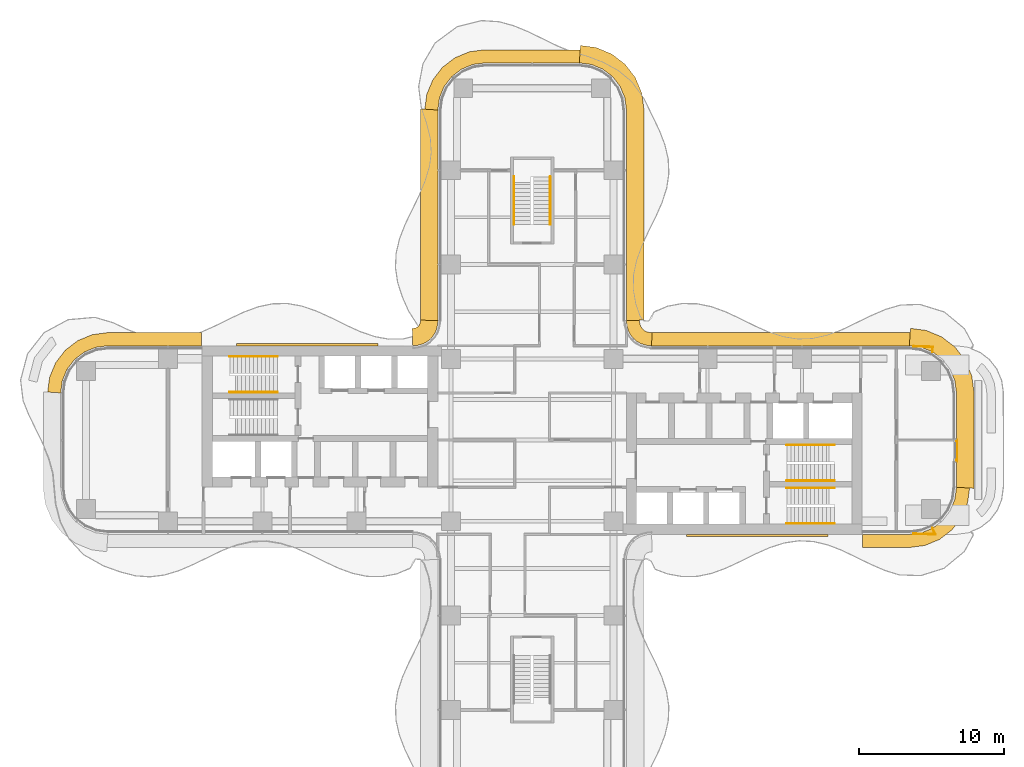
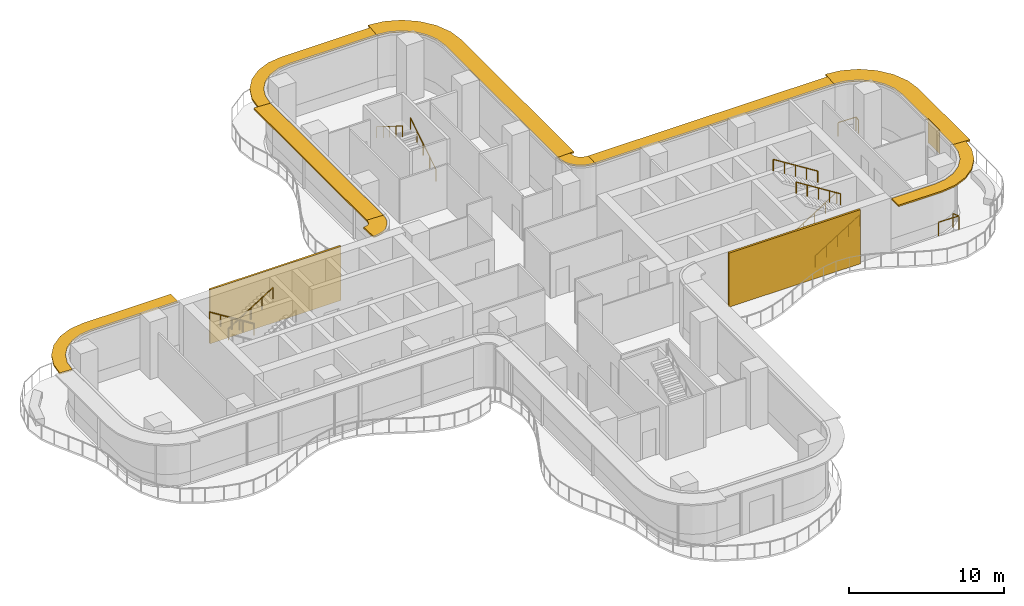
# One storey, part 21 of 21: 10 railings, 9 shading devices, 3 coverings.
"""IFC4 building model written with IfcOpenShell, lengths in metres."""

import ifcopenshell
import ifcopenshell.guid

model = None  # the IFC model being written
_history = None  # IfcOwnerHistory: only IFC2X3 demands one
_inside = {}  # id of a spatial element -> (the spatial element, [elements in it])
_under = {}  # id of a project, library or spatial element -> (it, [spatial elements below it])
_declared = {}  # id of a project -> (the project, [libraries it declares])
_typed = {}  # id of a type object -> (the type object, [elements of that type])
_made_of = {}  # id of a material, layer set ... -> (it, [elements and type objects made of it])


def new_model(schema):
    """Start an empty IFC model of exactly this schema.

    Asked for "IFC4X3", IfcOpenShell would pick the latest addendum, in which some entities
    have other attributes; the version numbers below select the first issue.
    IFC2X3 requires an IfcOwnerHistory on every rooted entity: one is made here for all.
    """
    global model, _history
    if schema == "IFC4X3":
        model = ifcopenshell.file(schema_version=(4, 3, 0, 0))
    else:
        model = ifcopenshell.file(schema=schema)
    _inside.clear()
    _under.clear()
    _declared.clear()
    _typed.clear()
    _made_of.clear()
    _history = None
    if model.schema == "IFC2X3":
        org = make("IfcOrganization", Name="unknown")
        user = make(
            "IfcPersonAndOrganization",
            ThePerson=make("IfcPerson", FamilyName="unknown"),
            TheOrganization=org,
        )
        app = make(
            "IfcApplication",
            ApplicationDeveloper=org,
            Version="unknown",
            ApplicationFullName="unknown",
            ApplicationIdentifier="unknown",
        )
        _history = make(
            "IfcOwnerHistory",
            OwningUser=user,
            OwningApplication=app,
            ChangeAction="ADDED",
            CreationDate=0,
        )
    return model


def make(cls, **values):
    """One entity of the class cls with the attributes given. An attribute that is None is left unset."""
    return model.create_entity(
        cls, **{name: value for name, value in values.items() if value is not None}
    )


def rooted(cls, **values):
    """An entity with a GlobalId (a new one), such as an element, a storey or a relation."""
    return make(cls, GlobalId=ifcopenshell.guid.new(), OwnerHistory=_history, **values)


def si_unit(unit_type, name, prefix=None):
    """IfcSIUnit, for example si_unit("LENGTHUNIT", "METRE", prefix="MILLI")."""
    return make("IfcSIUnit", UnitType=unit_type, Prefix=prefix, Name=name)


def assignment(units):
    """IfcUnitAssignment: the units of a project."""
    return None if units is None else make("IfcUnitAssignment", Units=units)


def point(xyz):
    """IfcCartesianPoint."""
    return None if xyz is None else make("IfcCartesianPoint", Coordinates=xyz)


def direction(xyz):
    """IfcDirection."""
    return None if xyz is None else make("IfcDirection", DirectionRatios=xyz)


def frame(location, z_axis=None, x_axis=None):
    """IfcAxis2Placement3D, a coordinate frame: its origin and axes. An axis left out is left unset."""
    return make(
        "IfcAxis2Placement3D",
        Location=point(location),
        Axis=direction(z_axis),
        RefDirection=direction(x_axis),
    )


def frame_2d(location, x_axis=None):
    """IfcAxis2Placement2D, a coordinate frame in the plane: its origin and x axis."""
    return make(
        "IfcAxis2Placement2D", Location=point(location), RefDirection=direction(x_axis)
    )


def origin():
    """The frame at (0, 0, 0) with its axes left unset."""
    return frame((0.0, 0.0, 0.0))


def origin_2d():
    """The frame at (0, 0) in the plane with its x axis left unset."""
    return frame_2d((0.0, 0.0))


def place(relative_to, where):
    """IfcLocalPlacement: puts the frame where relative to a parent placement (None: the world)."""
    return make(
        "IfcLocalPlacement", PlacementRelTo=relative_to, RelativePlacement=where
    )


def context(
    kind, dimensions, precision=None, world=None, true_north=None, identifier=None
):
    """IfcGeometricRepresentationContext, for example the 3D "Model" context."""
    return make(
        "IfcGeometricRepresentationContext",
        ContextIdentifier=identifier,
        ContextType=kind,
        CoordinateSpaceDimension=dimensions,
        Precision=precision,
        WorldCoordinateSystem=world,
        TrueNorth=true_north,
    )


def subcontext(parent, identifier, kind, view, scale=None):
    """IfcGeometricRepresentationSubContext, for example "Body" below "Model"."""
    return make(
        "IfcGeometricRepresentationSubContext",
        ContextIdentifier=identifier,
        ContextType=kind,
        ParentContext=parent,
        TargetScale=scale,
        TargetView=view,
    )


def project(units=None, contexts=None):
    """IfcProject with its units and contexts."""
    return rooted(
        "IfcProject",
        Name="project",
        RepresentationContexts=contexts,
        UnitsInContext=assignment(units),
    )


def spatial(cls, under=None, at=None, **own):
    """A site, building, storey or space (cls), placed at a placement, below another one or the project."""
    s = rooted(cls, ObjectPlacement=at, **own)
    if under is not None:
        _under.setdefault(under.id(), (under, []))[1].append(s)
    return s


def polyline(points):
    """IfcPolyline through the points."""
    return make("IfcPolyline", Points=[point(p) for p in points])


def profile(cls, at=None, kind="AREA", **sizes):
    """A parametric profile (cls). Its sizes go by their IFC names, for example OverallWidth=200.0."""
    return make(cls, ProfileType=kind, Position=at, **sizes)


def rectangle(**sizes):
    """IfcRectangleProfileDef."""
    return profile("IfcRectangleProfileDef", **sizes)


def circle(**sizes):
    """IfcCircleProfileDef."""
    return profile("IfcCircleProfileDef", **sizes)


def outline(outer, holes=None, kind="AREA"):
    """IfcArbitraryClosedProfileDef: a profile drawn as a closed curve; with holes, ...WithVoids."""
    if holes is None:
        return make("IfcArbitraryClosedProfileDef", ProfileType=kind, OuterCurve=outer)
    return make(
        "IfcArbitraryProfileDefWithVoids",
        ProfileType=kind,
        OuterCurve=outer,
        InnerCurves=holes,
    )


def extrude(swept, where, along, depth):
    """IfcExtrudedAreaSolid: the profile swept, set in the frame where, extruded along a direction by depth."""
    return make(
        "IfcExtrudedAreaSolid",
        SweptArea=swept,
        Position=where,
        ExtrudedDirection=direction(along),
        Depth=depth,
    )


def shape(context_of_items, identifier, shape_type, items):
    """IfcShapeRepresentation: the items that make up one representation, for example the "Body"."""
    return make(
        "IfcShapeRepresentation",
        ContextOfItems=context_of_items,
        RepresentationIdentifier=identifier,
        RepresentationType=shape_type,
        Items=items,
    )


def source(mapping_origin, context_of_items, identifier, shape_type, items):
    """IfcRepresentationMap: a shape defined once, which mapped items show again and again."""
    return make(
        "IfcRepresentationMap",
        MappingOrigin=mapping_origin,
        MappedRepresentation=shape(context_of_items, identifier, shape_type, items),
    )


def transform(
    local_origin,
    x_axis=None,
    y_axis=None,
    z_axis=None,
    scale=None,
    scale2=None,
    scale3=None,
    uniform=True,
):
    """IfcCartesianTransformationOperator3D, or its non-uniform kind. x_axis, y_axis, z_axis: its Axis1, 2, 3."""
    if uniform:
        return make(
            "IfcCartesianTransformationOperator3D",
            Axis1=direction(x_axis),
            Axis2=direction(y_axis),
            LocalOrigin=point(local_origin),
            Scale=scale,
            Axis3=direction(z_axis),
        )
    return make(
        "IfcCartesianTransformationOperator3DnonUniform",
        Axis1=direction(x_axis),
        Axis2=direction(y_axis),
        LocalOrigin=point(local_origin),
        Scale=scale,
        Axis3=direction(z_axis),
        Scale2=scale2,
        Scale3=scale3,
    )


def mapped(mapping_source, mapping_target):
    """IfcMappedItem: shows the shape of a source again, moved by a transform."""
    return make(
        "IfcMappedItem", MappingSource=mapping_source, MappingTarget=mapping_target
    )


def material(Name=None, Category=None):
    """IfcMaterial."""
    return make("IfcMaterial", Name=Name, Category=Category)


def layer(
    of_material, thickness, ventilated=None, Name=None, Category=None, Priority=None
):
    """IfcMaterialLayer: one layer of a wall or slab, of a material (None: an air gap)."""
    return make(
        "IfcMaterialLayer",
        Material=of_material,
        LayerThickness=thickness,
        IsVentilated=ventilated,
        Name=Name,
        Category=Category,
        Priority=Priority,
    )


def layer_set(layers, Name=None):
    """IfcMaterialLayerSet."""
    return make("IfcMaterialLayerSet", MaterialLayers=layers, LayerSetName=Name)


def made_of(thing, what):
    """Note that an element or type object is made of a material, layer set ...; save() writes the relation."""
    if what is not None:
        _made_of.setdefault(what.id(), (what, []))[1].append(thing)
    return thing


def type_object(cls, material=None, **own):
    """A type object (cls), such as IfcWallType, which elements share."""
    return made_of(rooted(cls, **own), material)


def element(
    cls,
    number,
    at=None,
    inside=None,
    cuts=None,
    type_object=None,
    material=None,
    context=None,
    identifier="Body",
    shape_type=None,
    held_by="IfcProductDefinitionShape",
    body=None,
    shapes=None,
    **own,
):
    """One element of the class cls, such as IfcWall. Its Tag is "e" and its number.

    at: its placement. inside: the storey or other place that contains it. cuts: it is an
    opening in that element (IfcRelVoidsElement). A single representation is given by context,
    identifier, shape_type and body (its items); several are given by shapes. held_by: the class
    of the entity that holds the representations. save() writes the other relations.
    """
    e = rooted(cls, Tag="e%d" % number, ObjectPlacement=at, **own)
    if body is not None:
        shapes = [shape(context, identifier, shape_type, body)]
    if shapes is not None:
        e.Representation = make(held_by, Representations=shapes)
    if inside is not None:
        _inside.setdefault(inside.id(), (inside, []))[1].append(e)
    if cuts is not None:
        rooted(
            "IfcRelVoidsElement", RelatingBuildingElement=cuts, RelatedOpeningElement=e
        )
    if type_object is not None:
        _typed.setdefault(type_object.id(), (type_object, []))[1].append(e)
    return made_of(e, material)


def aggregate(whole, parts):
    """IfcRelAggregates: a whole, such as a stair, and the parts it consists of."""
    return rooted("IfcRelAggregates", RelatingObject=whole, RelatedObjects=parts)


def save(model, path):
    """Write the relations noted so far, then the file.

    IfcRelAggregates (storeys below a building ...), IfcRelContainedInSpatialStructure (elements
    in a storey), IfcRelDefinesByType, IfcRelAssociatesMaterial and IfcRelDeclares: one each for
    every whole, place, type object, material and project.
    """
    for whole, parts in _under.values():
        aggregate(whole, parts)
    for where, things in _inside.values():
        rooted(
            "IfcRelContainedInSpatialStructure",
            RelatedElements=things,
            RelatingStructure=where,
        )
    for kind, things in _typed.values():
        rooted("IfcRelDefinesByType", RelatedObjects=things, RelatingType=kind)
    for what, things in _made_of.values():
        rooted("IfcRelAssociatesMaterial", RelatedObjects=things, RelatingMaterial=what)
    for by, libraries in _declared.values():
        rooted("IfcRelDeclares", RelatingContext=by, RelatedDefinitions=libraries)
    model.write(path)


model = new_model("IFC4")

# Units and contexts
model_context = context("Model", 3, precision=1e-05, world=origin(), true_north=direction((0.0, 1.0)))
body_context = subcontext(model_context, "Body", "Model", "MODEL_VIEW")
ifc_project = project(units=[si_unit("LENGTHUNIT", "METRE"), si_unit("AREAUNIT", "SQUARE_METRE"), si_unit("VOLUMEUNIT", "CUBIC_METRE"), si_unit("PLANEANGLEUNIT", "RADIAN"), si_unit("MASSUNIT", "GRAM", prefix="KILO")], contexts=[model_context])

# Site, building, storey
site_placement = place(None, origin())
site = spatial("IfcSite", under=ifc_project, at=site_placement, CompositionType="ELEMENT")
building_placement = place(site_placement, origin())
building = spatial("IfcBuilding", under=site, at=building_placement, Name="Trellis Farm Tower", CompositionType="ELEMENT")
storey_placement = place(building_placement, frame((0.0, 0.0, 97.5)))
storey = spatial("IfcBuildingStorey", under=building, at=storey_placement, Name="L20", CompositionType="ELEMENT", Elevation=97.5)

# Railings
ifc_material_1 = material(Name="Stainless steel 316", Category="steel")
railing_type_1 = type_object("IfcRailingType", Name="BALUSTRADE GUARD 1100", PredefinedType="GUARDRAIL", material=ifc_material_1)
railing_1_placement = place(storey_placement, frame((26.30126953125, -6.460205078125, 0.0)))
element("IfcRailing", 1, at=railing_1_placement, inside=storey, type_object=railing_type_1, Name="GD1 BAL-2", PredefinedType="GUARDRAIL", context=body_context, shape_type="SweptSolid", body=[
    extrude(rectangle(XDim=0.050048828125, YDim=0.050048828125, at=origin_2d()), frame((0.0, 0.0, 1.0751953125), z_axis=(0.999644808217, -0.026650654848, 0.0), x_axis=(0.026650654848, 0.999644808217, 0.0)), (0.0, 0.0, 1.0), 1.4931640625),
    extrude(rectangle(XDim=0.050048828125, YDim=0.050048828125, at=origin_2d()), frame((1.49267578125, -0.039794921875, 1.0751953125), z_axis=(-0.432748037993, 0.901514911476, 0.0), x_axis=(-0.901514911476, -0.432748037993, 0.0)), (0.0, 0.0, 1.0), 0.4677734375),
    extrude(rectangle(XDim=0.0400390625, YDim=0.0400390625, at=origin_2d()), origin(), (0.0, 0.0, 1.0), 1.050048828125),
    extrude(rectangle(XDim=0.0400390625, YDim=0.0400390625, at=origin_2d()), frame((1.49267578125, -0.039794921875, 0.0)), (0.0, 0.0, 1.0), 1.050048828125),
    extrude(rectangle(XDim=0.0400390625, YDim=0.0400390625, at=origin_2d()), frame((1.290283203125, 0.3818359375, 0.0)), (0.0, 0.0, 1.0), 1.050048828125),
])
railing_2_placement = place(storey_placement, frame((27.591552734375, 6.078369140625, 0.0)))
element("IfcRailing", 2, at=railing_2_placement, inside=storey, type_object=railing_type_1, Name="GD1 BAL-3", PredefinedType="GUARDRAIL", context=body_context, shape_type="SweptSolid", body=[
    extrude(rectangle(XDim=0.050048828125, YDim=0.050048828125, at=origin_2d()), frame((0.0, 0.0, 1.0751953125), z_axis=(0.052972117127, 0.998595991784, 0.0), x_axis=(-0.998595991784, 0.052972117127, 0.0)), (0.0, 0.0, 1.0), 0.341064453125),
    extrude(rectangle(XDim=0.050048828125, YDim=0.050048828125, at=origin_2d()), frame((0.01806640625, 0.340576171875, 1.0751953125), z_axis=(-0.999503119313, 0.031520064781, 0.0), x_axis=(-0.031520064781, -0.999503119313, 0.0)), (0.0, 0.0, 1.0), 1.30908203125),
    extrude(rectangle(XDim=0.0400390625, YDim=0.0400390625, at=origin_2d()), origin(), (0.0, 0.0, 1.0), 1.050048828125),
    extrude(rectangle(XDim=0.0400390625, YDim=0.0400390625, at=origin_2d()), frame((0.01806640625, 0.340576171875, 0.0)), (0.0, 0.0, 1.0), 1.050048828125),
    extrude(rectangle(XDim=0.0400390625, YDim=0.0400390625, at=origin_2d()), frame((-1.290283203125, 0.3818359375, 0.0)), (0.0, 0.0, 1.0), 1.050048828125),
])

# Covering
ifc_material_2 = material(Name="Sandstone", Category="masonry")
ifc_layer_1 = layer(ifc_material_2, 0.050048828125)
ifc_layer_set_1 = layer_set([ifc_layer_1], Name="STONE CLADDING PANEL")
covering_type_1 = type_object("IfcCoveringType", Name="STONE CLADDING PANEL", PredefinedType="CLADDING", material=ifc_layer_set_1)
covering_1_placement = place(storey_placement, frame((0.0, 0.0, 2.39990234375)))
element("IfcCovering", 3, at=covering_1_placement, inside=storey, type_object=covering_type_1, Name="CD1 02", PredefinedType="CLADDING", context=body_context, shape_type="SweptSolid", body=[
    extrude(outline(polyline([(29.300048828125, -1.47998046875), (29.300048828125, 0.02001953125), (29.25, 0.02001953125), (29.25, -1.47998046875), (29.300048828125, -1.47998046875)])), origin(), (0.0, 0.0, 1.0), 1.85009765625),
])

# Railings
ifc_material_3 = material(Name="Stainless steel", Category="steel")
railing_type_2 = type_object("IfcRailingType", Name="STAIR HANDRAIL 900", PredefinedType="HANDRAIL", material=ifc_material_3)
shared_shape_1 = source(origin(), body_context, "Body", "SweptSolid", [
    extrude(circle(Radius=0.02392578125, at=origin_2d()), frame((0.0, 0.0, 0.8759765625), z_axis=(0.0, 0.846319618018, 0.532675421018), x_axis=(-1.0, 0.0, 0.0)), (0.0, 0.0, 1.0), 3.89892578125),
    extrude(circle(Radius=0.02099609375, at=origin_2d()), origin(), (0.0, 0.0, 1.0), 0.851806640625),
    extrude(circle(Radius=0.02099609375, at=origin_2d()), frame((0.0, 0.824951171875, 0.519287109375)), (0.0, 0.0, 1.0), 0.851806640625),
    extrude(circle(Radius=0.02099609375, at=origin_2d()), frame((0.0, 1.64990234375, 1.03857421875)), (0.0, 0.0, 1.0), 0.851806640625),
    extrude(circle(Radius=0.02099609375, at=origin_2d()), frame((0.0, 2.474853515625, 1.5576171875)), (0.0, 0.0, 1.0), 0.851806640625),
    extrude(circle(Radius=0.02099609375, at=origin_2d()), frame((0.0, 3.2998046875, 2.076904296875)), (0.0, 0.0, 1.0), 0.851806640625),
])
railing_3_placement = place(storey_placement, frame((1.25, 14.85009765625, 0.173095703125)))
element("IfcRailing", 4, at=railing_3_placement, inside=storey, type_object=railing_type_2, Name="Stair handrail", PredefinedType="HANDRAIL", context=body_context, shape_type="MappedRepresentation", body=[
    mapped(shared_shape_1, transform((0.0, 0.0, 0.0))),
])
shared_shape_2 = source(origin(), body_context, "Body", "SweptSolid", [
    extrude(circle(Radius=0.02392578125, at=origin_2d()), frame((0.0, 0.0, 0.8759765625), z_axis=(0.0, -0.846319618018, 0.532675421018), x_axis=(1.0, 0.0, 0.0)), (0.0, 0.0, 1.0), 3.89892578125),
    extrude(circle(Radius=0.02099609375, at=origin_2d()), origin(), (0.0, 0.0, 1.0), 0.851806640625),
    extrude(circle(Radius=0.02099609375, at=origin_2d()), frame((0.0, -0.824951171875, 0.519287109375)), (0.0, 0.0, 1.0), 0.851806640625),
    extrude(circle(Radius=0.02099609375, at=origin_2d()), frame((0.0, -1.64990234375, 1.03857421875)), (0.0, 0.0, 1.0), 0.851806640625),
    extrude(circle(Radius=0.02099609375, at=origin_2d()), frame((0.0, -2.474853515625, 1.5576171875)), (0.0, 0.0, 1.0), 0.851806640625),
    extrude(circle(Radius=0.02099609375, at=origin_2d()), frame((0.0, -3.2998046875, 2.076904296875)), (0.0, 0.0, 1.0), 0.851806640625),
])
railing_4_placement = place(storey_placement, frame((-1.25, 18.14990234375, 2.423095703125)))
element("IfcRailing", 5, at=railing_4_placement, inside=storey, type_object=railing_type_2, Name="Stair handrail", PredefinedType="HANDRAIL", context=body_context, shape_type="MappedRepresentation", body=[
    mapped(shared_shape_2, transform((0.0, 0.0, 0.0))),
])
shared_shape_3 = source(origin(), body_context, "Body", "SweptSolid", [
    extrude(circle(Radius=0.02392578125, at=origin_2d()), frame((0.0, 0.0, 0.8759765625), z_axis=(0.846337383501, 0.0, 0.532647194011), x_axis=(0.0, 1.0, 0.0)), (0.0, 0.0, 1.0), 3.899169921875),
    extrude(circle(Radius=0.02099609375, at=origin_2d()), origin(), (0.0, 0.0, 1.0), 0.851806640625),
    extrude(circle(Radius=0.02099609375, at=origin_2d()), frame((0.824951171875, 0.0, 0.519287109375)), (0.0, 0.0, 1.0), 0.851806640625),
    extrude(circle(Radius=0.02099609375, at=origin_2d()), frame((1.64990234375, 0.0, 1.03857421875)), (0.0, 0.0, 1.0), 0.851806640625),
    extrude(circle(Radius=0.02099609375, at=origin_2d()), frame((2.47509765625, 0.0, 1.5576171875)), (0.0, 0.0, 1.0), 0.851806640625),
    extrude(circle(Radius=0.02099609375, at=origin_2d()), frame((3.300048828125, 0.0, 2.076904296875)), (0.0, 0.0, 1.0), 0.851806640625),
])
for number, where, name in (
    (6, (17.550048828125, -5.75, 0.173095703125), "Stair handrail"),
    (7, (17.550048828125, -2.800048828125, 0.173095703125), "Stair handrail"),
    (8, (-20.85009765625, 3.300048828125, 2.423095703125), "Stair handrail"),
):
    element("IfcRailing", number, at=place(storey_placement, frame(where)), inside=storey, type_object=railing_type_2, Name=name, PredefinedType="HANDRAIL", context=body_context, shape_type="MappedRepresentation", body=[
        mapped(shared_shape_3, transform((0.0, 0.0, 0.0))),
    ])
shared_shape_4 = source(origin(), body_context, "Body", "SweptSolid", [
    extrude(circle(Radius=0.02392578125, at=origin_2d()), frame((0.0, 0.0, 0.8759765625), z_axis=(-0.846337383501, 0.0, 0.532647194011), x_axis=(0.0, -1.0, 0.0)), (0.0, 0.0, 1.0), 3.899169921875),
    extrude(circle(Radius=0.02099609375, at=origin_2d()), origin(), (0.0, 0.0, 1.0), 0.851806640625),
    extrude(circle(Radius=0.02099609375, at=origin_2d()), frame((-0.824951171875, 0.0, 0.519287109375)), (0.0, 0.0, 1.0), 0.851806640625),
    extrude(circle(Radius=0.02099609375, at=origin_2d()), frame((-1.64990234375, 0.0, 1.03857421875)), (0.0, 0.0, 1.0), 0.851806640625),
    extrude(circle(Radius=0.02099609375, at=origin_2d()), frame((-2.47509765625, 0.0, 1.5576171875)), (0.0, 0.0, 1.0), 0.851806640625),
    extrude(circle(Radius=0.02099609375, at=origin_2d()), frame((-3.300048828125, 0.0, 2.076904296875)), (0.0, 0.0, 1.0), 0.851806640625),
])
for number, where, name in (
    (9, (20.85009765625, -3.300048828125, 2.423095703125), "Stair handrail"),
    (10, (20.85009765625, -0.35009765625, 2.423095703125), "Stair handrail"),
    (11, (-17.550048828125, 5.75, 0.173095703125), "Stair handrail"),
):
    element("IfcRailing", number, at=place(storey_placement, frame(where)), inside=storey, type_object=railing_type_2, Name=name, PredefinedType="HANDRAIL", context=body_context, shape_type="MappedRepresentation", body=[
        mapped(shared_shape_4, transform((0.0, 0.0, 0.0))),
    ])

# Shading devices
ifc_material_4 = material(Name="Aluminium extrusion 6063-T6", Category="aluminium")
ifc_layer_2 = layer(ifc_material_4, 0.1201171875)
ifc_layer_set_2 = layer_set([ifc_layer_2], Name="SUNSHADE BLADE 900")
shading_device_type_1 = type_object("IfcShadingDeviceType", Name="SUNSHADE BLADE 900", PredefinedType="USERDEFINED", material=ifc_layer_set_2)
shared_shape_5 = source(origin(), body_context, "Body", "SweptSolid", [
    extrude(outline(polyline([(8.2607421875, 7.39990234375), (8.107666015625, 7.409912109375), (8.091552734375, 7.412109375), (7.85595703125, 7.475341796875), (7.697021484375, 7.567138671875), (7.567138671875, 7.697021484375), (7.475341796875, 7.85595703125), (7.412109375, 8.091552734375), (7.409912109375, 8.107666015625), (7.39990234375, 8.2607421875), (6.5, 8.2314453125), (6.513916015625, 8.01953125), (6.527587890625, 7.91552734375), (6.63671875, 7.508544921875), (6.846923828125, 7.144287109375), (7.144287109375, 6.846923828125), (7.508544921875, 6.63671875), (7.91552734375, 6.527587890625), (8.01953125, 6.513916015625), (8.2314453125, 6.5), (8.2607421875, 7.39990234375)])), origin(), (0.0, 0.0, 1.0), 0.119873046875),
])
placement_1 = place(storey_placement, frame((0.0, 0.0, 4.090087890625)))
element("IfcShadingDevice", 12, at=placement_1, inside=storey, type_object=shading_device_type_1, Name="SD1 010", ObjectType="SUNSHADE", PredefinedType="USERDEFINED", context=body_context, shape_type="MappedRepresentation", body=[
    mapped(shared_shape_5, transform((0.0, 0.0, 0.0))),
])
ifc_layer_3 = layer(ifc_material_4, 0.1201171875)
ifc_layer_set_3 = layer_set([ifc_layer_3], Name="SUNSHADE BLADE 1200")
shading_device_type_2 = type_object("IfcShadingDeviceType", Name="SUNSHADE BLADE 1200", PredefinedType="USERDEFINED", material=ifc_layer_set_3)
shared_shape_6 = source(origin(), body_context, "Body", "SweptSolid", [
    extrude(outline(polyline([(-7.699951171875, 8.270751953125), (-7.708740234375, 8.13720703125), (-7.70703125, 8.150146484375), (-7.7548828125, 7.9716796875), (-7.80712890625, 7.881103515625), (-7.881103515625, 7.80712890625), (-7.9716796875, 7.7548828125), (-8.150146484375, 7.70703125), (-8.13720703125, 7.708740234375), (-8.270751953125, 7.699951171875), (-8.2314453125, 6.5), (-8.01953125, 6.513916015625), (-7.91552734375, 6.527587890625), (-7.508544921875, 6.63671875), (-7.144287109375, 6.846923828125), (-6.846923828125, 7.144287109375), (-6.63671875, 7.508544921875), (-6.527587890625, 7.91552734375), (-6.513916015625, 8.01953125), (-6.5, 8.2314453125), (-7.699951171875, 8.270751953125)])), origin(), (0.0, 0.0, 1.0), 0.119873046875),
])
element("IfcShadingDevice", 13, at=placement_1, inside=storey, type_object=shading_device_type_2, Name="SD2 014", ObjectType="SUNSHADE", PredefinedType="USERDEFINED", context=body_context, shape_type="MappedRepresentation", body=[
    mapped(shared_shape_6, transform((0.0, 0.0, 0.0))),
])
shared_shape_7 = source(origin(), body_context, "Body", "SweptSolid", [
    extrude(outline(polyline([(-22.780029296875, 7.39990234375), (-29.30908203125, 7.39990234375), (-30.326171875, 7.26611328125), (-31.328857421875, 6.850830078125), (-32.18994140625, 6.18994140625), (-32.850830078125, 5.328857421875), (-33.26611328125, 4.326171875), (-33.39990234375, 3.30908203125), (-32.5, 3.25), (-32.38916015625, 4.091064453125), (-32.064697265625, 4.875), (-31.548095703125, 5.548095703125), (-30.875, 6.064697265625), (-30.091064453125, 6.38916015625), (-29.25, 6.5), (-22.780029296875, 6.5), (-22.780029296875, 7.39990234375)])), origin(), (0.0, 0.0, 1.0), 0.119873046875),
])
element("IfcShadingDevice", 14, at=placement_1, inside=storey, type_object=shading_device_type_1, Name="SD1 015", ObjectType="SUNSHADE", PredefinedType="USERDEFINED", context=body_context, shape_type="MappedRepresentation", body=[
    mapped(shared_shape_7, transform((0.0, 0.0, 0.0))),
])

# Coverings
ifc_material_5 = material(Name="Perforated precast screen (cobogo)", Category="concrete")
ifc_layer_4 = layer(ifc_material_5, 0.14990234375)
ifc_layer_set_4 = layer_set([ifc_layer_4], Name="COBOGO SCREEN PANEL")
covering_type_2 = type_object("IfcCoveringType", Name="COBOGO SCREEN PANEL", PredefinedType="USERDEFINED", material=ifc_layer_set_4)
shared_shape_8 = source(origin(), body_context, "Body", "SweptSolid", [
    extrude(outline(polyline([(10.630615234375, -6.64990234375), (20.380615234375, -6.64990234375), (20.380615234375, -6.5), (10.630615234375, -6.5), (10.630615234375, -6.64990234375)])), origin(), (0.0, 0.0, 1.0), 4.25),
])
placement_2 = place(storey_placement, origin())
element("IfcCovering", 15, at=placement_2, inside=storey, type_object=covering_type_2, Name="SC1 01", ObjectType="SCREEN", PredefinedType="USERDEFINED", context=body_context, shape_type="MappedRepresentation", body=[
    mapped(shared_shape_8, transform((0.0, 0.0, 0.0))),
])
shared_shape_9 = source(origin(), body_context, "Body", "SweptSolid", [
    extrude(outline(polyline([(-10.630615234375, 6.64990234375), (-20.380615234375, 6.64990234375), (-20.380615234375, 6.5), (-10.630615234375, 6.5), (-10.630615234375, 6.64990234375)])), origin(), (0.0, 0.0, 1.0), 4.25),
])
element("IfcCovering", 16, at=placement_2, inside=storey, type_object=covering_type_2, Name="SC1 02", ObjectType="SCREEN", PredefinedType="USERDEFINED", context=body_context, shape_type="MappedRepresentation", body=[
    mapped(shared_shape_9, transform((0.0, 0.0, 0.0))),
])

# Shading devices
shared_shape_10 = source(origin(), body_context, "Body", "SweptSolid", [
    extrude(outline(polyline([(7.699951171875, 8.270751953125), (7.699951171875, 22.82861328125), (7.558349609375, 23.904541015625), (7.11279296875, 24.980224609375), (6.404052734375, 25.904052734375), (5.480224609375, 26.61279296875), (4.404541015625, 27.058349609375), (3.32861328125, 27.199951171875), (3.25, 26.0), (4.091064453125, 25.88916015625), (4.875, 25.564697265625), (5.548095703125, 25.048095703125), (6.064697265625, 24.375), (6.38916015625, 23.591064453125), (6.5, 22.75), (6.5, 8.2314453125), (7.699951171875, 8.270751953125)])), origin(), (0.0, 0.0, 1.0), 0.119873046875),
])
element("IfcShadingDevice", 17, at=placement_1, inside=storey, type_object=shading_device_type_2, Name="SD2 011", ObjectType="SUNSHADE", PredefinedType="USERDEFINED", context=body_context, shape_type="MappedRepresentation", body=[
    mapped(shared_shape_10, transform((0.0, 0.0, 0.0))),
])
shared_shape_11 = source(origin(), body_context, "Body", "SweptSolid", [
    extrude(outline(polyline([(3.30908203125, 26.89990234375), (-3.30908203125, 26.89990234375), (-4.326171875, 26.76611328125), (-5.328857421875, 26.350830078125), (-6.18994140625, 25.68994140625), (-6.850830078125, 24.828857421875), (-7.26611328125, 23.826171875), (-7.39990234375, 22.80908203125), (-6.5, 22.75), (-6.38916015625, 23.591064453125), (-6.064697265625, 24.375), (-5.548095703125, 25.048095703125), (-4.875, 25.564697265625), (-4.091064453125, 25.88916015625), (-3.25, 26.0), (3.25, 26.0), (3.30908203125, 26.89990234375)])), origin(), (0.0, 0.0, 1.0), 0.119873046875),
])
element("IfcShadingDevice", 18, at=placement_1, inside=storey, type_object=shading_device_type_1, Name="SD1 012", ObjectType="SUNSHADE", PredefinedType="USERDEFINED", context=body_context, shape_type="MappedRepresentation", body=[
    mapped(shared_shape_11, transform((0.0, 0.0, 0.0))),
])
shared_shape_12 = source(origin(), body_context, "Body", "SweptSolid", [
    extrude(outline(polyline([(-7.699951171875, 22.82861328125), (-7.699951171875, 8.270751953125), (-6.5, 8.2314453125), (-6.5, 22.75), (-7.699951171875, 22.82861328125)])), origin(), (0.0, 0.0, 1.0), 0.119873046875),
])
element("IfcShadingDevice", 19, at=placement_1, inside=storey, type_object=shading_device_type_2, Name="SD2 013", ObjectType="SUNSHADE", PredefinedType="USERDEFINED", context=body_context, shape_type="MappedRepresentation", body=[
    mapped(shared_shape_12, transform((0.0, 0.0, 0.0))),
])
shared_shape_13 = source(origin(), body_context, "Body", "SweptSolid", [
    extrude(outline(polyline([(22.780029296875, -7.39990234375), (26.05908203125, -7.39990234375), (27.076171875, -7.26611328125), (28.078857421875, -6.850830078125), (28.93994140625, -6.18994140625), (29.600830078125, -5.328857421875), (30.01611328125, -4.326171875), (30.14990234375, -3.30908203125), (29.25, -3.25), (29.13916015625, -4.091064453125), (28.814697265625, -4.875), (28.298095703125, -5.548095703125), (27.625, -6.064697265625), (26.841064453125, -6.38916015625), (26.0, -6.5), (22.780029296875, -6.5), (22.780029296875, -7.39990234375)])), origin(), (0.0, 0.0, 1.0), 0.119873046875),
])
element("IfcShadingDevice", 20, at=placement_1, inside=storey, type_object=shading_device_type_1, Name="SD1 007", ObjectType="SUNSHADE", PredefinedType="USERDEFINED", context=body_context, shape_type="MappedRepresentation", body=[
    mapped(shared_shape_13, transform((0.0, 0.0, 0.0))),
])
shared_shape_14 = source(origin(), body_context, "Body", "SweptSolid", [
    extrude(outline(polyline([(30.449951171875, -3.32861328125), (30.449951171875, 3.32861328125), (30.308349609375, 4.404541015625), (29.86279296875, 5.480224609375), (29.154052734375, 6.404052734375), (28.230224609375, 7.11279296875), (27.154541015625, 7.558349609375), (26.07861328125, 7.699951171875), (26.0, 6.5), (26.841064453125, 6.38916015625), (27.625, 6.064697265625), (28.298095703125, 5.548095703125), (28.814697265625, 4.875), (29.13916015625, 4.091064453125), (29.25, 3.25), (29.25, -3.25), (30.449951171875, -3.32861328125)])), origin(), (0.0, 0.0, 1.0), 0.119873046875),
])
element("IfcShadingDevice", 21, at=placement_1, inside=storey, type_object=shading_device_type_2, Name="SD2 008", ObjectType="SUNSHADE", PredefinedType="USERDEFINED", context=body_context, shape_type="MappedRepresentation", body=[
    mapped(shared_shape_14, transform((0.0, 0.0, 0.0))),
])
shared_shape_15 = source(origin(), body_context, "Body", "SweptSolid", [
    extrude(outline(polyline([(26.05908203125, 7.39990234375), (8.2607421875, 7.39990234375), (8.2314453125, 6.5), (26.0, 6.5), (26.05908203125, 7.39990234375)])), origin(), (0.0, 0.0, 1.0), 0.119873046875),
])
element("IfcShadingDevice", 22, at=placement_1, inside=storey, type_object=shading_device_type_1, Name="SD1 009", ObjectType="SUNSHADE", PredefinedType="USERDEFINED", context=body_context, shape_type="MappedRepresentation", body=[
    mapped(shared_shape_15, transform((0.0, 0.0, 0.0))),
])

save(model, "model.ifc")
